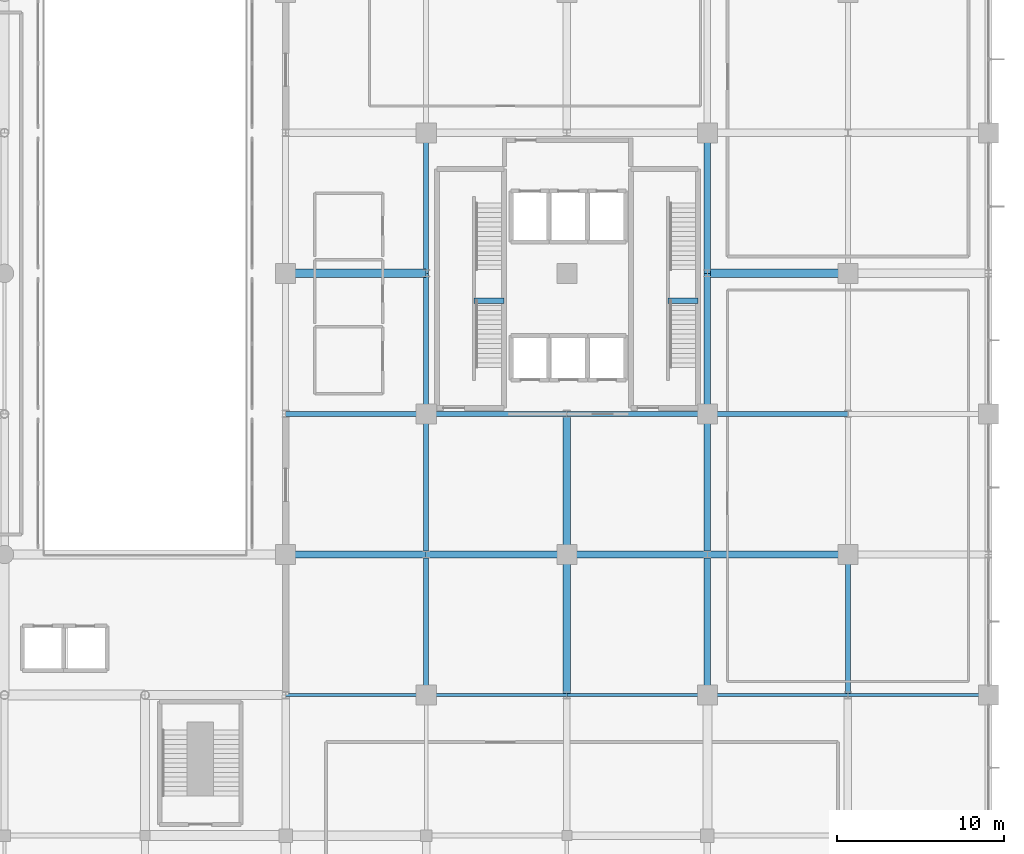
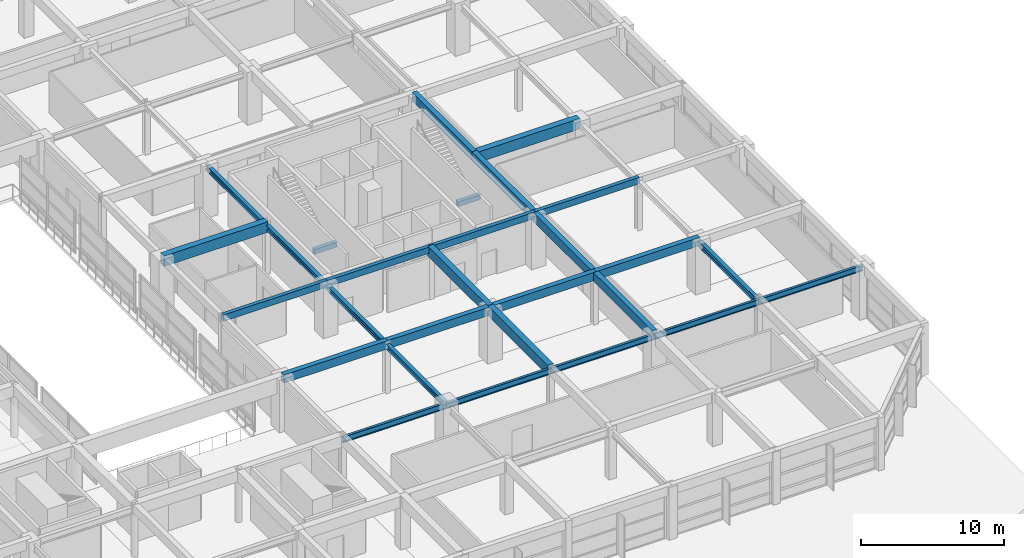
# One storey, part 30 of 60: 28 beams.
"""IFC4 building model written with IfcOpenShell, lengths in metres."""

import ifcopenshell
import ifcopenshell.guid

model = None  # the IFC model being written
_history = None  # IfcOwnerHistory: only IFC2X3 demands one
_inside = {}  # id of a spatial element -> (the spatial element, [elements in it])
_under = {}  # id of a project, library or spatial element -> (it, [spatial elements below it])
_declared = {}  # id of a project -> (the project, [libraries it declares])
_typed = {}  # id of a type object -> (the type object, [elements of that type])
_made_of = {}  # id of a material, layer set ... -> (it, [elements and type objects made of it])


def new_model(schema):
    """Start an empty IFC model of exactly this schema.

    Asked for "IFC4X3", IfcOpenShell would pick the latest addendum, in which some entities
    have other attributes; the version numbers below select the first issue.
    IFC2X3 requires an IfcOwnerHistory on every rooted entity: one is made here for all.
    """
    global model, _history
    if schema == "IFC4X3":
        model = ifcopenshell.file(schema_version=(4, 3, 0, 0))
    else:
        model = ifcopenshell.file(schema=schema)
    _inside.clear()
    _under.clear()
    _declared.clear()
    _typed.clear()
    _made_of.clear()
    _history = None
    if model.schema == "IFC2X3":
        org = make("IfcOrganization", Name="unknown")
        user = make(
            "IfcPersonAndOrganization",
            ThePerson=make("IfcPerson", FamilyName="unknown"),
            TheOrganization=org,
        )
        app = make(
            "IfcApplication",
            ApplicationDeveloper=org,
            Version="unknown",
            ApplicationFullName="unknown",
            ApplicationIdentifier="unknown",
        )
        _history = make(
            "IfcOwnerHistory",
            OwningUser=user,
            OwningApplication=app,
            ChangeAction="ADDED",
            CreationDate=0,
        )
    return model


def make(cls, **values):
    """One entity of the class cls with the attributes given. An attribute that is None is left unset."""
    return model.create_entity(
        cls, **{name: value for name, value in values.items() if value is not None}
    )


def rooted(cls, **values):
    """An entity with a GlobalId (a new one), such as an element, a storey or a relation."""
    return make(cls, GlobalId=ifcopenshell.guid.new(), OwnerHistory=_history, **values)


def si_unit(unit_type, name, prefix=None):
    """IfcSIUnit, for example si_unit("LENGTHUNIT", "METRE", prefix="MILLI")."""
    return make("IfcSIUnit", UnitType=unit_type, Prefix=prefix, Name=name)


def assignment(units):
    """IfcUnitAssignment: the units of a project."""
    return None if units is None else make("IfcUnitAssignment", Units=units)


def point(xyz):
    """IfcCartesianPoint."""
    return None if xyz is None else make("IfcCartesianPoint", Coordinates=xyz)


def direction(xyz):
    """IfcDirection."""
    return None if xyz is None else make("IfcDirection", DirectionRatios=xyz)


def frame(location, z_axis=None, x_axis=None):
    """IfcAxis2Placement3D, a coordinate frame: its origin and axes. An axis left out is left unset."""
    return make(
        "IfcAxis2Placement3D",
        Location=point(location),
        Axis=direction(z_axis),
        RefDirection=direction(x_axis),
    )


def frame_2d(location, x_axis=None):
    """IfcAxis2Placement2D, a coordinate frame in the plane: its origin and x axis."""
    return make(
        "IfcAxis2Placement2D", Location=point(location), RefDirection=direction(x_axis)
    )


def origin():
    """The frame at (0, 0, 0) with its axes left unset."""
    return frame((0.0, 0.0, 0.0))


def origin_2d():
    """The frame at (0, 0) in the plane with its x axis left unset."""
    return frame_2d((0.0, 0.0))


def place(relative_to, where):
    """IfcLocalPlacement: puts the frame where relative to a parent placement (None: the world)."""
    return make(
        "IfcLocalPlacement", PlacementRelTo=relative_to, RelativePlacement=where
    )


def context(
    kind, dimensions, precision=None, world=None, true_north=None, identifier=None
):
    """IfcGeometricRepresentationContext, for example the 3D "Model" context."""
    return make(
        "IfcGeometricRepresentationContext",
        ContextIdentifier=identifier,
        ContextType=kind,
        CoordinateSpaceDimension=dimensions,
        Precision=precision,
        WorldCoordinateSystem=world,
        TrueNorth=true_north,
    )


def subcontext(parent, identifier, kind, view, scale=None):
    """IfcGeometricRepresentationSubContext, for example "Body" below "Model"."""
    return make(
        "IfcGeometricRepresentationSubContext",
        ContextIdentifier=identifier,
        ContextType=kind,
        ParentContext=parent,
        TargetScale=scale,
        TargetView=view,
    )


def project(units=None, contexts=None):
    """IfcProject with its units and contexts."""
    return rooted(
        "IfcProject",
        Name="project",
        RepresentationContexts=contexts,
        UnitsInContext=assignment(units),
    )


def spatial(cls, under=None, at=None, **own):
    """A site, building, storey or space (cls), placed at a placement, below another one or the project."""
    s = rooted(cls, ObjectPlacement=at, **own)
    if under is not None:
        _under.setdefault(under.id(), (under, []))[1].append(s)
    return s


def profile(cls, at=None, kind="AREA", **sizes):
    """A parametric profile (cls). Its sizes go by their IFC names, for example OverallWidth=200.0."""
    return make(cls, ProfileType=kind, Position=at, **sizes)


def rectangle(**sizes):
    """IfcRectangleProfileDef."""
    return profile("IfcRectangleProfileDef", **sizes)


def i_section(**sizes):
    """IfcIShapeProfileDef."""
    return profile("IfcIShapeProfileDef", **sizes)


def extrude(swept, where, along, depth):
    """IfcExtrudedAreaSolid: the profile swept, set in the frame where, extruded along a direction by depth."""
    return make(
        "IfcExtrudedAreaSolid",
        SweptArea=swept,
        Position=where,
        ExtrudedDirection=direction(along),
        Depth=depth,
    )


def shape(context_of_items, identifier, shape_type, items):
    """IfcShapeRepresentation: the items that make up one representation, for example the "Body"."""
    return make(
        "IfcShapeRepresentation",
        ContextOfItems=context_of_items,
        RepresentationIdentifier=identifier,
        RepresentationType=shape_type,
        Items=items,
    )


def material(Name=None, Category=None):
    """IfcMaterial."""
    return make("IfcMaterial", Name=Name, Category=Category)


def material_profile(
    of_material, cross_section, Name=None, Category=None, Priority=None
):
    """IfcMaterialProfile: a cross section and its material."""
    return make(
        "IfcMaterialProfile",
        Name=Name,
        Material=of_material,
        Profile=cross_section,
        Priority=Priority,
        Category=Category,
    )


def profile_set(profiles, Name=None, composite=None):
    """IfcMaterialProfileSet."""
    return make(
        "IfcMaterialProfileSet",
        Name=Name,
        MaterialProfiles=profiles,
        CompositeProfile=composite,
    )


def made_of(thing, what):
    """Note that an element or type object is made of a material, layer set ...; save() writes the relation."""
    if what is not None:
        _made_of.setdefault(what.id(), (what, []))[1].append(thing)
    return thing


def type_object(cls, material=None, **own):
    """A type object (cls), such as IfcWallType, which elements share."""
    return made_of(rooted(cls, **own), material)


def element(
    cls,
    number,
    at=None,
    inside=None,
    cuts=None,
    type_object=None,
    material=None,
    context=None,
    identifier="Body",
    shape_type=None,
    held_by="IfcProductDefinitionShape",
    body=None,
    shapes=None,
    **own,
):
    """One element of the class cls, such as IfcWall. Its Tag is "e" and its number.

    at: its placement. inside: the storey or other place that contains it. cuts: it is an
    opening in that element (IfcRelVoidsElement). A single representation is given by context,
    identifier, shape_type and body (its items); several are given by shapes. held_by: the class
    of the entity that holds the representations. save() writes the other relations.
    """
    e = rooted(cls, Tag="e%d" % number, ObjectPlacement=at, **own)
    if body is not None:
        shapes = [shape(context, identifier, shape_type, body)]
    if shapes is not None:
        e.Representation = make(held_by, Representations=shapes)
    if inside is not None:
        _inside.setdefault(inside.id(), (inside, []))[1].append(e)
    if cuts is not None:
        rooted(
            "IfcRelVoidsElement", RelatingBuildingElement=cuts, RelatedOpeningElement=e
        )
    if type_object is not None:
        _typed.setdefault(type_object.id(), (type_object, []))[1].append(e)
    return made_of(e, material)


def aggregate(whole, parts):
    """IfcRelAggregates: a whole, such as a stair, and the parts it consists of."""
    return rooted("IfcRelAggregates", RelatingObject=whole, RelatedObjects=parts)


def save(model, path):
    """Write the relations noted so far, then the file.

    IfcRelAggregates (storeys below a building ...), IfcRelContainedInSpatialStructure (elements
    in a storey), IfcRelDefinesByType, IfcRelAssociatesMaterial and IfcRelDeclares: one each for
    every whole, place, type object, material and project.
    """
    for whole, parts in _under.values():
        aggregate(whole, parts)
    for where, things in _inside.values():
        rooted(
            "IfcRelContainedInSpatialStructure",
            RelatedElements=things,
            RelatingStructure=where,
        )
    for kind, things in _typed.values():
        rooted("IfcRelDefinesByType", RelatedObjects=things, RelatingType=kind)
    for what, things in _made_of.values():
        rooted("IfcRelAssociatesMaterial", RelatedObjects=things, RelatingMaterial=what)
    for by, libraries in _declared.values():
        rooted("IfcRelDeclares", RelatingContext=by, RelatedDefinitions=libraries)
    model.write(path)


model = new_model("IFC4")

# Units and contexts
model_context = context("Model", 3, precision=1e-05, world=origin(), true_north=direction((0.0, 1.0)))
body_context = subcontext(model_context, "Body", "Model", "MODEL_VIEW")
ifc_project = project(units=[si_unit("LENGTHUNIT", "METRE"), si_unit("AREAUNIT", "SQUARE_METRE"), si_unit("VOLUMEUNIT", "CUBIC_METRE"), si_unit("PLANEANGLEUNIT", "RADIAN"), si_unit("MASSUNIT", "GRAM", prefix="KILO")], contexts=[model_context])

# Site, building, storey
site_placement = place(None, origin())
site = spatial("IfcSite", under=ifc_project, at=site_placement, CompositionType="ELEMENT")
building_placement = place(site_placement, origin())
building = spatial("IfcBuilding", under=site, at=building_placement, Name="Xuanlan Plaza Opera House", CompositionType="ELEMENT")
storey_placement = place(building_placement, frame((0.0, 0.0, 9.89990234375)))
storey = spatial("IfcBuildingStorey", under=building, at=storey_placement, Name="L02", CompositionType="ELEMENT", Elevation=9.89990234375)

# Beams
ifc_material_1 = material(Name="Concrete C40", Category="concrete")
ifc_material_profile_1 = material_profile(ifc_material_1, rectangle(XDim=0.5, YDim=0.89990234375, at=origin_2d()), Name="RC-BM 500x900")
ifc_profile_set_1 = profile_set([ifc_material_profile_1], Name="Concrete C40")
beam_type_1 = type_object("IfcBeamType", Name="STR-BM-B-03", PredefinedType="BEAM", material=ifc_profile_set_1)
beam_1_placement = place(storey_placement, frame((126.0, 58.800048828125, 4.050048828125), z_axis=(1.0, 0.0, 0.0), x_axis=(0.0, 1.0, 0.0)))
element("IfcBeam", 1, at=beam_1_placement, inside=storey, type_object=beam_type_1, Name="Grid Beam X L02 16-17/H", PredefinedType="BEAM", context=body_context, shape_type="SweptSolid", body=[
    extrude(rectangle(XDim=0.5, YDim=0.89990234375, at=origin_2d()), origin(), (0.0, 0.0, 1.0), 8.39990234375),
])
beam_2_placement = place(storey_placement, frame((151.199951171875, 58.800048828125, 4.050048828125), z_axis=(1.0, 0.0, 0.0), x_axis=(0.0, 1.0, 0.0)))
element("IfcBeam", 2, at=beam_2_placement, inside=storey, type_object=beam_type_1, Name="Grid Beam X L02 19-20/H", PredefinedType="BEAM", context=body_context, shape_type="SweptSolid", body=[
    extrude(rectangle(XDim=0.5, YDim=0.89990234375, at=origin_2d()), origin(), (0.0, 0.0, 1.0), 8.400146484375),
])
ifc_material_profile_2 = material_profile(ifc_material_1, rectangle(XDim=0.449951171875, YDim=0.85009765625, at=origin_2d()), Name="RC-BM 450x850")
ifc_profile_set_2 = profile_set([ifc_material_profile_2], Name="Concrete C40")
beam_type_2 = type_object("IfcBeamType", Name="STR-BM-B-04", PredefinedType="BEAM", material=ifc_profile_set_2)
for number, where, z_axis, x_axis, name in (
    (3, (142.800048828125, 33.60009765625, 4.0751953125), (0.0, 1.0, 0.0), (-1.0, 0.0, 0.0), "Grid Beam Y L02 18/E-F"),
    (4, (142.800048828125, 42.0, 4.0751953125), (0.0, 1.0, 0.0), (-1.0, 0.0, 0.0), "Grid Beam Y L02 18/F-G"),
):
    element("IfcBeam", number, at=place(storey_placement, frame(where, z_axis=z_axis, x_axis=x_axis)), inside=storey, type_object=beam_type_2, Name=name, PredefinedType="BEAM", context=body_context, shape_type="SweptSolid", body=[
        extrude(rectangle(XDim=0.449951171875, YDim=0.85009765625, at=origin_2d()), origin(), (0.0, 0.0, 1.0), 8.39990234375),
    ])
ifc_material_profile_3 = material_profile(ifc_material_1, rectangle(XDim=0.39990234375, YDim=0.75, at=origin_2d()), Name="RC-BM 400x750")
ifc_profile_set_3 = profile_set([ifc_material_profile_3], Name="Concrete C40")
beam_type_3 = type_object("IfcBeamType", Name="STR-BM-B-06", PredefinedType="BEAM", material=ifc_profile_set_3)
for number, where, z_axis, x_axis, name in (
    (5, (151.199951171875, 33.60009765625, 4.125), (0.0, 1.0, 0.0), (-1.0, 0.0, 0.0), "Grid Beam Y L02 19/E-F"),
    (6, (151.199951171875, 42.0, 4.125), (0.0, 1.0, 0.0), (-1.0, 0.0, 0.0), "Grid Beam Y L02 19/F-G"),
):
    element("IfcBeam", number, at=place(storey_placement, frame(where, z_axis=z_axis, x_axis=x_axis)), inside=storey, type_object=beam_type_3, Name=name, PredefinedType="BEAM", context=body_context, shape_type="SweptSolid", body=[
        extrude(rectangle(XDim=0.39990234375, YDim=0.75, at=origin_2d()), origin(), (0.0, 0.0, 1.0), 8.39990234375),
    ])
beam_3_placement = place(storey_placement, frame((151.199951171875, 50.39990234375, 4.125), z_axis=(0.0, 1.0, 0.0), x_axis=(-1.0, 0.0, 0.0)))
element("IfcBeam", 7, at=beam_3_placement, inside=storey, type_object=beam_type_3, Name="Grid Beam Y L02 19/G-H", PredefinedType="BEAM", context=body_context, shape_type="SweptSolid", body=[
    extrude(rectangle(XDim=0.39990234375, YDim=0.75, at=origin_2d()), origin(), (0.0, 0.0, 1.0), 8.400146484375),
])
beam_4_placement = place(storey_placement, frame((151.199951171875, 58.800048828125, 4.125), z_axis=(0.0, 1.0, 0.0), x_axis=(-1.0, 0.0, 0.0)))
element("IfcBeam", 8, at=beam_4_placement, inside=storey, type_object=beam_type_3, Name="Grid Beam Y L02 19/H-I", PredefinedType="BEAM", context=body_context, shape_type="SweptSolid", body=[
    extrude(rectangle(XDim=0.39990234375, YDim=0.75, at=origin_2d()), origin(), (0.0, 0.0, 1.0), 8.39990234375),
])
ifc_material_profile_4 = material_profile(ifc_material_1, rectangle(XDim=0.39990234375, YDim=0.699951171875, at=origin_2d()), Name="RC-BM 400x700")
ifc_profile_set_4 = profile_set([ifc_material_profile_4], Name="Concrete C40")
beam_type_4 = type_object("IfcBeamType", Name="STR-BM-B-07", PredefinedType="BEAM", material=ifc_profile_set_4)
beam_5_placement = place(storey_placement, frame((126.0, 42.0, 4.150146484375), z_axis=(1.0, 0.0, 0.0), x_axis=(0.0, 1.0, 0.0)))
element("IfcBeam", 9, at=beam_5_placement, inside=storey, type_object=beam_type_4, Name="Grid Beam X L02 16-17/F", PredefinedType="BEAM", context=body_context, shape_type="SweptSolid", body=[
    extrude(rectangle(XDim=0.39990234375, YDim=0.699951171875, at=origin_2d()), origin(), (0.0, 0.0, 1.0), 8.39990234375),
])
beam_6_placement = place(storey_placement, frame((134.39990234375, 42.0, 4.150146484375), z_axis=(1.0, 0.0, 0.0), x_axis=(0.0, 1.0, 0.0)))
element("IfcBeam", 10, at=beam_6_placement, inside=storey, type_object=beam_type_4, Name="Grid Beam X L02 17-18/F", PredefinedType="BEAM", context=body_context, shape_type="SweptSolid", body=[
    extrude(rectangle(XDim=0.39990234375, YDim=0.699951171875, at=origin_2d()), origin(), (0.0, 0.0, 1.0), 8.400146484375),
])
beam_7_placement = place(storey_placement, frame((142.800048828125, 42.0, 4.150146484375), z_axis=(1.0, 0.0, 0.0), x_axis=(0.0, 1.0, 0.0)))
element("IfcBeam", 11, at=beam_7_placement, inside=storey, type_object=beam_type_4, Name="Grid Beam X L02 18-19/F", PredefinedType="BEAM", context=body_context, shape_type="SweptSolid", body=[
    extrude(rectangle(XDim=0.39990234375, YDim=0.699951171875, at=origin_2d()), origin(), (0.0, 0.0, 1.0), 8.39990234375),
])
beam_8_placement = place(storey_placement, frame((151.199951171875, 42.0, 4.150146484375), z_axis=(1.0, 0.0, 0.0), x_axis=(0.0, 1.0, 0.0)))
element("IfcBeam", 12, at=beam_8_placement, inside=storey, type_object=beam_type_4, Name="Grid Beam X L02 19-20/F", PredefinedType="BEAM", context=body_context, shape_type="SweptSolid", body=[
    extrude(rectangle(XDim=0.39990234375, YDim=0.699951171875, at=origin_2d()), origin(), (0.0, 0.0, 1.0), 8.400146484375),
])
ifc_material_profile_5 = material_profile(ifc_material_1, rectangle(XDim=0.300048828125, YDim=0.550048828125, at=origin_2d()), Name="RC-BM 300x550")
ifc_profile_set_5 = profile_set([ifc_material_profile_5], Name="Concrete C40")
beam_type_5 = type_object("IfcBeamType", Name="STR-BM-B-09", PredefinedType="BEAM", material=ifc_profile_set_5)
beam_9_placement = place(storey_placement, frame((126.0, 50.39990234375, 4.22509765625), z_axis=(1.0, 0.0, 0.0), x_axis=(0.0, 1.0, 0.0)))
element("IfcBeam", 13, at=beam_9_placement, inside=storey, type_object=beam_type_5, Name="Grid Beam X L02 16-17/G", PredefinedType="BEAM", context=body_context, shape_type="SweptSolid", body=[
    extrude(rectangle(XDim=0.300048828125, YDim=0.550048828125, at=origin_2d()), origin(), (0.0, 0.0, 1.0), 8.39990234375),
])
beam_10_placement = place(storey_placement, frame((134.39990234375, 50.39990234375, 4.22509765625), z_axis=(1.0, 0.0, 0.0), x_axis=(0.0, 1.0, 0.0)))
element("IfcBeam", 14, at=beam_10_placement, inside=storey, type_object=beam_type_5, Name="Grid Beam X L02 17-18/G", PredefinedType="BEAM", context=body_context, shape_type="SweptSolid", body=[
    extrude(rectangle(XDim=0.300048828125, YDim=0.550048828125, at=origin_2d()), origin(), (0.0, 0.0, 1.0), 8.400146484375),
])
beam_11_placement = place(storey_placement, frame((142.800048828125, 50.39990234375, 4.22509765625), z_axis=(1.0, 0.0, 0.0), x_axis=(0.0, 1.0, 0.0)))
element("IfcBeam", 15, at=beam_11_placement, inside=storey, type_object=beam_type_5, Name="Grid Beam X L02 18-19/G", PredefinedType="BEAM", context=body_context, shape_type="SweptSolid", body=[
    extrude(rectangle(XDim=0.300048828125, YDim=0.550048828125, at=origin_2d()), origin(), (0.0, 0.0, 1.0), 8.39990234375),
])
beam_12_placement = place(storey_placement, frame((151.199951171875, 50.39990234375, 4.22509765625), z_axis=(1.0, 0.0, 0.0), x_axis=(0.0, 1.0, 0.0)))
element("IfcBeam", 16, at=beam_12_placement, inside=storey, type_object=beam_type_5, Name="Grid Beam X L02 19-20/G", PredefinedType="BEAM", context=body_context, shape_type="SweptSolid", body=[
    extrude(rectangle(XDim=0.300048828125, YDim=0.550048828125, at=origin_2d()), origin(), (0.0, 0.0, 1.0), 8.400146484375),
])
ifc_material_profile_6 = material_profile(ifc_material_1, rectangle(XDim=0.320068359375, YDim=0.419921875, at=origin_2d()), Name="RC-LNT 320x420")
ifc_profile_set_6 = profile_set([ifc_material_profile_6], Name="Concrete C40")
beam_type_6 = type_object("IfcBeamType", Name="STR-BM-LN-04", PredefinedType="LINTEL", material=ifc_profile_set_6)
beam_13_placement = place(storey_placement, frame((137.25, 57.159912109375, 1.840087890625), z_axis=(1.0, 0.0, 0.0), x_axis=(0.0, 1.0, 0.0)))
element("IfcBeam", 17, at=beam_13_placement, inside=storey, type_object=beam_type_6, Name="Stair Mid-Landing Trimmer Beam ST-T1 L02", PredefinedType="LINTEL", context=body_context, shape_type="SweptSolid", body=[
    extrude(rectangle(XDim=0.320068359375, YDim=0.419921875, at=origin_2d()), origin(), (0.0, 0.0, 1.0), 1.800048828125),
])
beam_14_placement = place(storey_placement, frame((148.85009765625, 57.159912109375, 1.840087890625), z_axis=(1.0, 0.0, 0.0), x_axis=(0.0, 1.0, 0.0)))
element("IfcBeam", 18, at=beam_14_placement, inside=storey, type_object=beam_type_6, Name="Stair Mid-Landing Trimmer Beam ST-T2 L02", PredefinedType="LINTEL", context=body_context, shape_type="SweptSolid", body=[
    extrude(rectangle(XDim=0.320068359375, YDim=0.419921875, at=origin_2d()), origin(), (0.0, 0.0, 1.0), 1.7998046875),
])
ifc_material_2 = material(Name="Steel Q355B", Category="steel")
ifc_material_profile_7 = material_profile(ifc_material_2, i_section(OverallWidth=0.199951171875, OverallDepth=0.5, WebThickness=0.010009765625, FlangeThickness=0.01611328125, FilletRadius=0.02001953125, at=origin_2d()), Name="HN 500x200x10x16")
ifc_profile_set_7 = profile_set([ifc_material_profile_7], Name="Steel Q355B")
beam_type_7 = type_object("IfcBeamType", Name="STR-BM-SB-05", PredefinedType="BEAM", material=ifc_profile_set_7)
beam_15_placement = place(storey_placement, frame((126.0, 33.60009765625, 3.985107421875), z_axis=(1.0, 0.0, 0.0), x_axis=(0.0, 1.0, 0.0)))
element("IfcBeam", 19, at=beam_15_placement, inside=storey, type_object=beam_type_7, Name="Grid Beam X L02 16-17/E", PredefinedType="BEAM", context=body_context, shape_type="SweptSolid", body=[
    extrude(i_section(OverallWidth=0.199951171875, OverallDepth=0.5, WebThickness=0.010009765625, FlangeThickness=0.01611328125, FilletRadius=0.02001953125, at=origin_2d()), origin(), (0.0, 0.0, 1.0), 8.39990234375),
])
beam_16_placement = place(storey_placement, frame((134.39990234375, 33.60009765625, 3.985107421875), z_axis=(1.0, 0.0, 0.0), x_axis=(0.0, 1.0, 0.0)))
element("IfcBeam", 20, at=beam_16_placement, inside=storey, type_object=beam_type_7, Name="Grid Beam X L02 17-18/E", PredefinedType="BEAM", context=body_context, shape_type="SweptSolid", body=[
    extrude(i_section(OverallWidth=0.199951171875, OverallDepth=0.5, WebThickness=0.010009765625, FlangeThickness=0.01611328125, FilletRadius=0.02001953125, at=origin_2d()), origin(), (0.0, 0.0, 1.0), 8.400146484375),
])
beam_17_placement = place(storey_placement, frame((142.800048828125, 33.60009765625, 3.985107421875), z_axis=(1.0, 0.0, 0.0), x_axis=(0.0, 1.0, 0.0)))
element("IfcBeam", 21, at=beam_17_placement, inside=storey, type_object=beam_type_7, Name="Grid Beam X L02 18-19/E", PredefinedType="BEAM", context=body_context, shape_type="SweptSolid", body=[
    extrude(i_section(OverallWidth=0.199951171875, OverallDepth=0.5, WebThickness=0.010009765625, FlangeThickness=0.01611328125, FilletRadius=0.02001953125, at=origin_2d()), origin(), (0.0, 0.0, 1.0), 8.39990234375),
])
beam_18_placement = place(storey_placement, frame((151.199951171875, 33.60009765625, 3.985107421875), z_axis=(1.0, 0.0, 0.0), x_axis=(0.0, 1.0, 0.0)))
element("IfcBeam", 22, at=beam_18_placement, inside=storey, type_object=beam_type_7, Name="Grid Beam X L02 19-20/E", PredefinedType="BEAM", context=body_context, shape_type="SweptSolid", body=[
    extrude(i_section(OverallWidth=0.199951171875, OverallDepth=0.5, WebThickness=0.010009765625, FlangeThickness=0.01611328125, FilletRadius=0.02001953125, at=origin_2d()), origin(), (0.0, 0.0, 1.0), 8.400146484375),
])
beam_19_placement = place(storey_placement, frame((159.60009765625, 33.60009765625, 3.985107421875), z_axis=(1.0, 0.0, 0.0), x_axis=(0.0, 1.0, 0.0)))
element("IfcBeam", 23, at=beam_19_placement, inside=storey, type_object=beam_type_7, Name="Grid Beam X L02 20-21/E", PredefinedType="BEAM", context=body_context, shape_type="SweptSolid", body=[
    extrude(i_section(OverallWidth=0.199951171875, OverallDepth=0.5, WebThickness=0.010009765625, FlangeThickness=0.01611328125, FilletRadius=0.02001953125, at=origin_2d()), origin(), (0.0, 0.0, 1.0), 8.39990234375),
])
ifc_material_profile_8 = material_profile(ifc_material_2, i_section(OverallWidth=0.300048828125, OverallDepth=0.488037109375, WebThickness=0.010986328125, FlangeThickness=0.01806640625, FilletRadius=0.02197265625, at=origin_2d()), Name="HM 488x300x11x18")
ifc_profile_set_8 = profile_set([ifc_material_profile_8], Name="Steel Q355B")
beam_type_8 = type_object("IfcBeamType", Name="STR-BM-SB-07", PredefinedType="BEAM", material=ifc_profile_set_8)
beam_20_placement = place(storey_placement, frame((159.60009765625, 33.60009765625, 3.9912109375), z_axis=(0.0, 1.0, 0.0), x_axis=(-1.0, 0.0, 0.0)))
element("IfcBeam", 24, at=beam_20_placement, inside=storey, type_object=beam_type_8, Name="Grid Beam Y L02 20/E-F", PredefinedType="BEAM", context=body_context, shape_type="SweptSolid", body=[
    extrude(i_section(OverallWidth=0.300048828125, OverallDepth=0.488037109375, WebThickness=0.010986328125, FlangeThickness=0.01806640625, FilletRadius=0.02197265625, at=origin_2d()), origin(), (0.0, 0.0, 1.0), 8.39990234375),
])
ifc_material_profile_9 = material_profile(ifc_material_2, i_section(OverallWidth=0.300048828125, OverallDepth=0.43994140625, WebThickness=0.010986328125, FlangeThickness=0.01806640625, FilletRadius=0.02001953125, at=origin_2d()), Name="HM 440x300x11x18")
ifc_profile_set_9 = profile_set([ifc_material_profile_9], Name="Steel Q355B")
beam_type_9 = type_object("IfcBeamType", Name="STR-BM-SB-08", PredefinedType="BEAM", material=ifc_profile_set_9)
for number, where, z_axis, x_axis, name in (
    (25, (134.39990234375, 33.60009765625, 4.01513671875), (0.0, 1.0, 0.0), (-1.0, 0.0, 0.0), "Grid Beam Y L02 17/E-F"),
    (26, (134.39990234375, 42.0, 4.01513671875), (0.0, 1.0, 0.0), (-1.0, 0.0, 0.0), "Grid Beam Y L02 17/F-G"),
):
    element("IfcBeam", number, at=place(storey_placement, frame(where, z_axis=z_axis, x_axis=x_axis)), inside=storey, type_object=beam_type_9, Name=name, PredefinedType="BEAM", context=body_context, shape_type="SweptSolid", body=[
        extrude(i_section(OverallWidth=0.300048828125, OverallDepth=0.43994140625, WebThickness=0.010986328125, FlangeThickness=0.01806640625, FilletRadius=0.02001953125, at=origin_2d()), origin(), (0.0, 0.0, 1.0), 8.39990234375),
    ])
beam_21_placement = place(storey_placement, frame((134.39990234375, 50.39990234375, 4.01513671875), z_axis=(0.0, 1.0, 0.0), x_axis=(-1.0, 0.0, 0.0)))
element("IfcBeam", 27, at=beam_21_placement, inside=storey, type_object=beam_type_9, Name="Grid Beam Y L02 17/G-H", PredefinedType="BEAM", context=body_context, shape_type="SweptSolid", body=[
    extrude(i_section(OverallWidth=0.300048828125, OverallDepth=0.43994140625, WebThickness=0.010986328125, FlangeThickness=0.01806640625, FilletRadius=0.02001953125, at=origin_2d()), origin(), (0.0, 0.0, 1.0), 8.400146484375),
])
beam_22_placement = place(storey_placement, frame((134.39990234375, 58.800048828125, 4.01513671875), z_axis=(0.0, 1.0, 0.0), x_axis=(-1.0, 0.0, 0.0)))
element("IfcBeam", 28, at=beam_22_placement, inside=storey, type_object=beam_type_9, Name="Grid Beam Y L02 17/H-I", PredefinedType="BEAM", context=body_context, shape_type="SweptSolid", body=[
    extrude(i_section(OverallWidth=0.300048828125, OverallDepth=0.43994140625, WebThickness=0.010986328125, FlangeThickness=0.01806640625, FilletRadius=0.02001953125, at=origin_2d()), origin(), (0.0, 0.0, 1.0), 8.39990234375),
])

save(model, "model.ifc")
